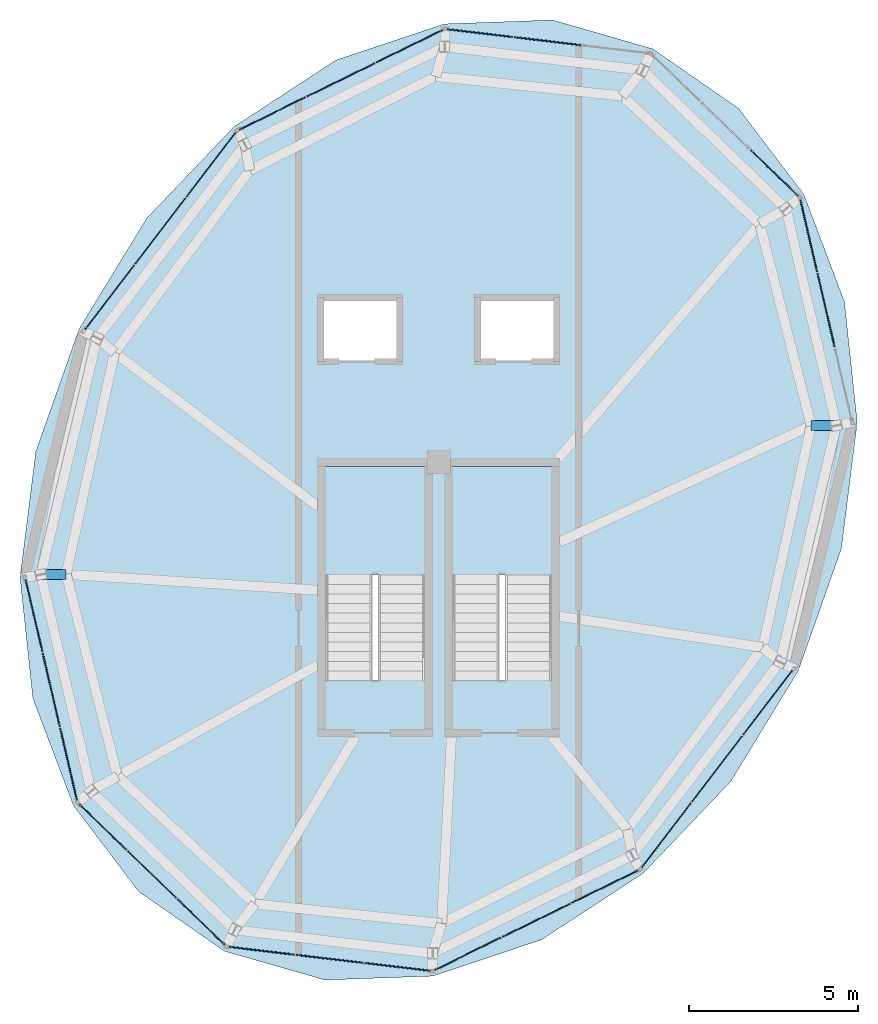
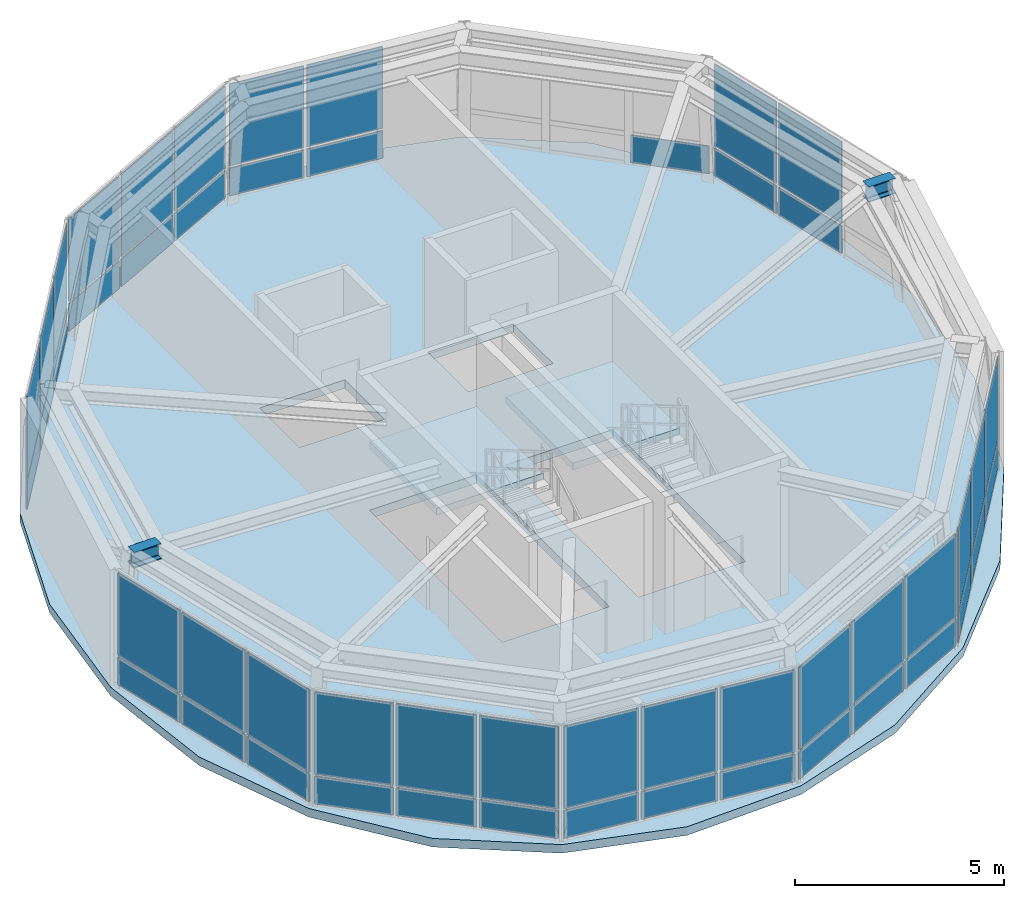
# One storey, part 7 of 9: 51 plates, 3 slabs, 2 beams, 12 elements without a shape of their own.
"""IFC4 building model written with IfcOpenShell, lengths in metres."""

from ifc_helpers import new_model, si_unit, direction, frame, origin, origin_2d, place, context, subcontext, project, spatial, polyline, rectangle, i_section, outline, extrude, material, layer, layer_set, material_profile, profile_set, type_object, element, aggregate, save


model = new_model("IFC4")

# Units and contexts
model_context = context("Model", 3, precision=1e-05, world=origin(), true_north=direction((0.0, 1.0)))
body_context = subcontext(model_context, "Body", "Model", "MODEL_VIEW")
ifc_project = project(units=[si_unit("LENGTHUNIT", "METRE"), si_unit("AREAUNIT", "SQUARE_METRE"), si_unit("VOLUMEUNIT", "CUBIC_METRE"), si_unit("PLANEANGLEUNIT", "RADIAN"), si_unit("MASSUNIT", "GRAM", prefix="KILO"), si_unit("THERMODYNAMICTEMPERATUREUNIT", "KELVIN"), si_unit("POWERUNIT", "WATT")], contexts=[model_context])

# Site, building, storey
site_placement = place(None, origin())
site = spatial("IfcSite", under=ifc_project, at=site_placement, CompositionType="ELEMENT")
building_placement = place(site_placement, origin())
building = spatial("IfcBuilding", under=site, at=building_placement, Name="Ocrelia Relay Tower", CompositionType="ELEMENT")
storey_placement = place(building_placement, frame((0.0, 0.0, 296.0)))
storey = spatial("IfcBuildingStorey", under=building, at=storey_placement, Name="L74", CompositionType="ELEMENT", Elevation=296.0)

# Beams
ifc_material_1 = material(Name="Steel S355", Category="steel")
ifc_material_profile = material_profile(ifc_material_1, i_section(OverallWidth=0.300048828125, OverallDepth=0.449951171875, WebThickness=0.013916015625, FlangeThickness=0.02587890625, FilletRadius=0.027099609375, at=origin_2d()), Name="HEB 450")
ifc_profile_set = profile_set([ifc_material_profile], Name="Steel S355")
beam_type = type_object("IfcBeamType", Name="BM-HEB450", PredefinedType="BEAM", material=ifc_profile_set)
for number, where, z_axis, x_axis, name in (
    (1, (22.214111328125, 23.7919921875, 3.52490234375), (0.999984578339, 0.00555365496, 0.0), (-0.00555365496, 0.999984578339, 0.0), "L74 Crown Step Radial Beam ST05"),
    (2, (45.785888671875, 28.2080078125, 3.52490234375), (-0.999984578339, -0.00555365496, 0.0), (0.00555365496, -0.999984578339, 0.0), "L74 Crown Step Radial Beam ST11"),
):
    element("IfcBeam", number, at=place(storey_placement, frame(where, z_axis=z_axis, x_axis=x_axis)), inside=storey, type_object=beam_type, Name=name, PredefinedType="BEAM", context=body_context, shape_type="SweptSolid", body=[
        extrude(i_section(OverallWidth=0.300048828125, OverallDepth=0.449951171875, WebThickness=0.013916015625, FlangeThickness=0.02587890625, FilletRadius=0.027099609375, at=origin_2d()), origin(), (0.0, 0.0, 1.0), 0.747314453125),
    ])

# Curtain wall, plates
ifc_material_2 = material(Name="Aluminium and solar-control low-E glass", Category="aluminium")
ifc_layer_1 = layer(ifc_material_2, 0.179931640625, Name="Aluminium and solar-control low-E glass")
ifc_layer_set_1 = layer_set([ifc_layer_1], Name="Aluminium and solar-control low-E glass")
curtain_wall_type = type_object("IfcCurtainWallType", Name="CW-SYS-CROWN-PT", PredefinedType="NOTDEFINED", material=ifc_layer_set_1)
curtain_wall_1_placement = place(storey_placement, origin())
curtain_wall_1 = element("IfcCurtainWall", 3, at=curtain_wall_1_placement, inside=storey, type_object=curtain_wall_type, Name="L74 Faceted Glass-Point Crown Curtain Wall 01", PredefinedType="NOTDEFINED")
ifc_material_3 = material(Name="Clear double-glazed low-E glass", Category="glass")
ifc_layer_2 = layer(ifc_material_3, 0.031982421875, Name="Clear double-glazed low-E glass")
ifc_layer_set_2 = layer_set([ifc_layer_2], Name="Clear double-glazed low-E glass")
plate_type = type_object("IfcPlateType", Name="CW-SYS-CROWN-PT-PNL", PredefinedType="CURTAIN_PANEL", material=ifc_layer_set_2)
plate_1_placement = place(storey_placement, frame((37.23193359375, 39.5966796875, 0.06494140625), z_axis=(0.0, 0.0, 1.0), x_axis=(-0.993010082273, 0.118029557759, 0.0)))
plate_1 = element("IfcPlate", 4, at=plate_1_placement, type_object=plate_type, Name="CW-CR panel 2.1", PredefinedType="CURTAIN_PANEL", context=body_context, shape_type="SweptSolid", body=[
    extrude(rectangle(XDim=1.973876953125, YDim=0.031982421875, at=origin_2d()), origin(), (0.0, 0.0, 1.0), 0.802490234375),
])
plate_2_placement = place(storey_placement, frame((37.23193359375, 39.5966796875, 0.932373046875), z_axis=(0.0, 0.0, 1.0), x_axis=(-0.993010082273, 0.118029557759, 0.0)))
plate_2 = element("IfcPlate", 5, at=plate_2_placement, type_object=plate_type, Name="CW-CR panel 2.2", PredefinedType="CURTAIN_PANEL", context=body_context, shape_type="SweptSolid", body=[
    extrude(rectangle(XDim=1.973876953125, YDim=0.031982421875, at=origin_2d()), origin(), (0.0, 0.0, 1.0), 2.392578125),
])
plate_3_placement = place(storey_placement, frame((35.216064453125, 39.836181640625, 0.06494140625), z_axis=(0.0, 0.0, 1.0), x_axis=(-0.993010082273, 0.118029557759, 0.0)))
plate_3 = element("IfcPlate", 6, at=plate_3_placement, type_object=plate_type, Name="CW-CR panel 3.1", PredefinedType="CURTAIN_PANEL", context=body_context, shape_type="SweptSolid", body=[
    extrude(rectangle(XDim=1.9365234375, YDim=0.031982421875, at=origin_2d()), origin(), (0.0, 0.0, 1.0), 0.802490234375),
])
plate_4_placement = place(storey_placement, frame((35.216064453125, 39.836181640625, 0.932373046875), z_axis=(0.0, 0.0, 1.0), x_axis=(-0.993010082273, 0.118029557759, 0.0)))
plate_4 = element("IfcPlate", 7, at=plate_4_placement, type_object=plate_type, Name="CW-CR panel 3.2", PredefinedType="CURTAIN_PANEL", context=body_context, shape_type="SweptSolid", body=[
    extrude(rectangle(XDim=1.9365234375, YDim=0.031982421875, at=origin_2d()), origin(), (0.0, 0.0, 1.0), 2.392578125),
])
aggregate(curtain_wall_1, [plate_1, plate_2, plate_3, plate_4])

curtain_wall_2_placement = place(storey_placement, origin())
curtain_wall_2 = element("IfcCurtainWall", 8, at=curtain_wall_2_placement, inside=storey, type_object=curtain_wall_type, Name="L74 Faceted Glass-Point Crown Curtain Wall 02", PredefinedType="NOTDEFINED")
plate_5_placement = place(storey_placement, frame((33.137939453125, 39.44873046875, 0.06494140625), z_axis=(0.0, 0.0, 1.0), x_axis=(-0.897968903602, -0.440058914423, 0.0)))
plate_5 = element("IfcPlate", 9, at=plate_5_placement, type_object=plate_type, Name="CW-CR panel 1.1", PredefinedType="CURTAIN_PANEL", context=body_context, shape_type="SweptSolid", body=[
    extrude(rectangle(XDim=2.171142578125, YDim=0.031982421875, at=origin_2d()), origin(), (0.0, 0.0, 1.0), 0.802490234375),
])
plate_6_placement = place(storey_placement, frame((33.137939453125, 39.44873046875, 0.932373046875), z_axis=(0.0, 0.0, 1.0), x_axis=(-0.897968903602, -0.440058914423, 0.0)))
plate_6 = element("IfcPlate", 10, at=plate_6_placement, type_object=plate_type, Name="CW-CR panel 1.2", PredefinedType="CURTAIN_PANEL", context=body_context, shape_type="SweptSolid", body=[
    extrude(rectangle(XDim=2.171142578125, YDim=0.031982421875, at=origin_2d()), origin(), (0.0, 0.0, 1.0), 2.392578125),
])
plate_7_placement = place(storey_placement, frame((31.10400390625, 38.451904296875, 0.06494140625), z_axis=(0.0, 0.0, 1.0), x_axis=(-0.897968903602, -0.440058914423, 0.0)))
plate_7 = element("IfcPlate", 11, at=plate_7_placement, type_object=plate_type, Name="CW-CR panel 2.1", PredefinedType="CURTAIN_PANEL", context=body_context, shape_type="SweptSolid", body=[
    extrude(rectangle(XDim=2.208740234375, YDim=0.031982421875, at=origin_2d()), origin(), (0.0, 0.0, 1.0), 0.802490234375),
])
plate_8_placement = place(storey_placement, frame((31.10400390625, 38.451904296875, 0.932373046875), z_axis=(0.0, 0.0, 1.0), x_axis=(-0.897968903602, -0.440058914423, 0.0)))
plate_8 = element("IfcPlate", 12, at=plate_8_placement, type_object=plate_type, Name="CW-CR panel 2.2", PredefinedType="CURTAIN_PANEL", context=body_context, shape_type="SweptSolid", body=[
    extrude(rectangle(XDim=2.208740234375, YDim=0.031982421875, at=origin_2d()), origin(), (0.0, 0.0, 1.0), 2.392578125),
])
plate_9_placement = place(storey_placement, frame((29.070068359375, 37.455322265625, 0.06494140625), z_axis=(0.0, 0.0, 1.0), x_axis=(-0.897968903602, -0.440058914423, 0.0)))
plate_9 = element("IfcPlate", 13, at=plate_9_placement, type_object=plate_type, Name="CW-CR panel 3.1", PredefinedType="CURTAIN_PANEL", context=body_context, shape_type="SweptSolid", body=[
    extrude(rectangle(XDim=2.171142578125, YDim=0.031982421875, at=origin_2d()), origin(), (0.0, 0.0, 1.0), 0.802490234375),
])
plate_10_placement = place(storey_placement, frame((29.070068359375, 37.455322265625, 0.932373046875), z_axis=(0.0, 0.0, 1.0), x_axis=(-0.897968903602, -0.440058914423, 0.0)))
plate_10 = element("IfcPlate", 14, at=plate_10_placement, type_object=plate_type, Name="CW-CR panel 3.2", PredefinedType="CURTAIN_PANEL", context=body_context, shape_type="SweptSolid", body=[
    extrude(rectangle(XDim=2.171142578125, YDim=0.031982421875, at=origin_2d()), origin(), (0.0, 0.0, 1.0), 2.392578125),
])
aggregate(curtain_wall_2, [plate_5, plate_6, plate_7, plate_8, plate_9, plate_10])

curtain_wall_3_placement = place(storey_placement, origin())
curtain_wall_3 = element("IfcCurtainWall", 15, at=curtain_wall_3_placement, inside=storey, type_object=curtain_wall_type, Name="L74 Faceted Glass-Point Crown Curtain Wall 03", PredefinedType="NOTDEFINED")
plate_11_placement = place(storey_placement, frame((27.258056640625, 35.9384765625, 0.06494140625), z_axis=(0.0, 0.0, 1.0), x_axis=(-0.607777650658, -0.7941072518, 0.0)))
plate_11 = element("IfcPlate", 16, at=plate_11_placement, type_object=plate_type, Name="CW-CR panel 1.1", PredefinedType="CURTAIN_PANEL", context=body_context, shape_type="SweptSolid", body=[
    extrude(rectangle(XDim=2.384033203125, YDim=0.031982421875, at=origin_2d()), origin(), (0.0, 0.0, 1.0), 0.802490234375),
])
plate_12_placement = place(storey_placement, frame((27.258056640625, 35.9384765625, 0.932373046875), z_axis=(0.0, 0.0, 1.0), x_axis=(-0.607777650658, -0.7941072518, 0.0)))
plate_12 = element("IfcPlate", 17, at=plate_12_placement, type_object=plate_type, Name="CW-CR panel 1.2", PredefinedType="CURTAIN_PANEL", context=body_context, shape_type="SweptSolid", body=[
    extrude(rectangle(XDim=2.384033203125, YDim=0.031982421875, at=origin_2d()), origin(), (0.0, 0.0, 1.0), 2.392578125),
])
plate_13_placement = place(storey_placement, frame((25.751953125, 33.970703125, 0.06494140625), z_axis=(0.0, 0.0, 1.0), x_axis=(-0.607777650658, -0.7941072518, 0.0)))
plate_13 = element("IfcPlate", 18, at=plate_13_placement, type_object=plate_type, Name="CW-CR panel 2.1", PredefinedType="CURTAIN_PANEL", context=body_context, shape_type="SweptSolid", body=[
    extrude(rectangle(XDim=2.42138671875, YDim=0.031982421875, at=origin_2d()), origin(), (0.0, 0.0, 1.0), 0.802490234375),
])
plate_14_placement = place(storey_placement, frame((25.751953125, 33.970703125, 0.932373046875), z_axis=(0.0, 0.0, 1.0), x_axis=(-0.607777650658, -0.7941072518, 0.0)))
plate_14 = element("IfcPlate", 19, at=plate_14_placement, type_object=plate_type, Name="CW-CR panel 2.2", PredefinedType="CURTAIN_PANEL", context=body_context, shape_type="SweptSolid", body=[
    extrude(rectangle(XDim=2.42138671875, YDim=0.031982421875, at=origin_2d()), origin(), (0.0, 0.0, 1.0), 2.392578125),
])
plate_15_placement = place(storey_placement, frame((24.24609375, 32.003173828125, 0.06494140625), z_axis=(0.0, 0.0, 1.0), x_axis=(-0.607777650658, -0.7941072518, 0.0)))
plate_15 = element("IfcPlate", 20, at=plate_15_placement, type_object=plate_type, Name="CW-CR panel 3.1", PredefinedType="CURTAIN_PANEL", context=body_context, shape_type="SweptSolid", body=[
    extrude(rectangle(XDim=2.384033203125, YDim=0.031982421875, at=origin_2d()), origin(), (0.0, 0.0, 1.0), 0.802490234375),
])
plate_16_placement = place(storey_placement, frame((24.24609375, 32.003173828125, 0.932373046875), z_axis=(0.0, 0.0, 1.0), x_axis=(-0.607777650658, -0.7941072518, 0.0)))
plate_16 = element("IfcPlate", 21, at=plate_16_placement, type_object=plate_type, Name="CW-CR panel 3.2", PredefinedType="CURTAIN_PANEL", context=body_context, shape_type="SweptSolid", body=[
    extrude(rectangle(XDim=2.384033203125, YDim=0.031982421875, at=origin_2d()), origin(), (0.0, 0.0, 1.0), 2.392578125),
])
aggregate(curtain_wall_3, [plate_11, plate_12, plate_13, plate_14, plate_15, plate_16])

curtain_wall_4_placement = place(storey_placement, origin())
curtain_wall_4 = element("IfcCurtainWall", 22, at=curtain_wall_4_placement, inside=storey, type_object=curtain_wall_type, Name="L74 Faceted Glass-Point Crown Curtain Wall 05", PredefinedType="NOTDEFINED")
plate_17_placement = place(storey_placement, frame((22.007080078125, 22.580322265625, 0.06494140625), z_axis=(0.0, 0.0, 1.0), x_axis=(0.226532816409, -0.974003533407, 0.0)))
plate_17 = element("IfcPlate", 23, at=plate_17_placement, type_object=plate_type, Name="CW-CR panel 1.1", PredefinedType="CURTAIN_PANEL", context=body_context, shape_type="SweptSolid", body=[
    extrude(rectangle(XDim=2.171142578125, YDim=0.031982421875, at=origin_2d()), origin(), (0.0, 0.0, 1.0), 0.802490234375),
])
plate_18_placement = place(storey_placement, frame((22.007080078125, 22.580322265625, 0.932373046875), z_axis=(0.0, 0.0, 1.0), x_axis=(0.226532816409, -0.974003533407, 0.0)))
plate_18 = element("IfcPlate", 24, at=plate_18_placement, type_object=plate_type, Name="CW-CR panel 1.2", PredefinedType="CURTAIN_PANEL", context=body_context, shape_type="SweptSolid", body=[
    extrude(rectangle(XDim=2.171142578125, YDim=0.031982421875, at=origin_2d()), origin(), (0.0, 0.0, 1.0), 2.392578125),
])
plate_19_placement = place(storey_placement, frame((22.52001953125, 20.374267578125, 0.06494140625), z_axis=(0.0, 0.0, 1.0), x_axis=(0.226532816409, -0.974003533407, 0.0)))
plate_19 = element("IfcPlate", 25, at=plate_19_placement, type_object=plate_type, Name="CW-CR panel 2.1", PredefinedType="CURTAIN_PANEL", context=body_context, shape_type="SweptSolid", body=[
    extrude(rectangle(XDim=2.208740234375, YDim=0.031982421875, at=origin_2d()), origin(), (0.0, 0.0, 1.0), 0.802490234375),
])
plate_20_placement = place(storey_placement, frame((22.52001953125, 20.374267578125, 0.932373046875), z_axis=(0.0, 0.0, 1.0), x_axis=(0.226532816409, -0.974003533407, 0.0)))
plate_20 = element("IfcPlate", 26, at=plate_20_placement, type_object=plate_type, Name="CW-CR panel 2.2", PredefinedType="CURTAIN_PANEL", context=body_context, shape_type="SweptSolid", body=[
    extrude(rectangle(XDim=2.208740234375, YDim=0.031982421875, at=origin_2d()), origin(), (0.0, 0.0, 1.0), 2.392578125),
])
plate_21_placement = place(storey_placement, frame((23.033203125, 18.168212890625, 0.06494140625), z_axis=(0.0, 0.0, 1.0), x_axis=(0.226532816409, -0.974003533407, 0.0)))
plate_21 = element("IfcPlate", 27, at=plate_21_placement, type_object=plate_type, Name="CW-CR panel 3.1", PredefinedType="CURTAIN_PANEL", context=body_context, shape_type="SweptSolid", body=[
    extrude(rectangle(XDim=2.171142578125, YDim=0.031982421875, at=origin_2d()), origin(), (0.0, 0.0, 1.0), 0.802490234375),
])
plate_22_placement = place(storey_placement, frame((23.033203125, 18.168212890625, 0.932373046875), z_axis=(0.0, 0.0, 1.0), x_axis=(0.226532816409, -0.974003533407, 0.0)))
plate_22 = element("IfcPlate", 28, at=plate_22_placement, type_object=plate_type, Name="CW-CR panel 3.2", PredefinedType="CURTAIN_PANEL", context=body_context, shape_type="SweptSolid", body=[
    extrude(rectangle(XDim=2.171142578125, YDim=0.031982421875, at=origin_2d()), origin(), (0.0, 0.0, 1.0), 2.392578125),
])
aggregate(curtain_wall_4, [plate_17, plate_18, plate_19, plate_20, plate_21, plate_22])

curtain_wall_5_placement = place(storey_placement, origin())
curtain_wall_5 = element("IfcCurtainWall", 29, at=curtain_wall_5_placement, inside=storey, type_object=curtain_wall_type, Name="L74 Faceted Glass-Point Crown Curtain Wall 06", PredefinedType="NOTDEFINED")
plate_23_placement = place(storey_placement, frame((24.046142578125, 16.312744140625, 0.06494140625), z_axis=(0.0, 0.0, 1.0), x_axis=(0.719075086837, -0.694932384833, 0.0)))
plate_23 = element("IfcPlate", 30, at=plate_23_placement, type_object=plate_type, Name="CW-CR panel 1.1", PredefinedType="CURTAIN_PANEL", context=body_context, shape_type="SweptSolid", body=[
    extrude(rectangle(XDim=1.9365234375, YDim=0.031982421875, at=origin_2d()), origin(), (0.0, 0.0, 1.0), 0.802490234375),
])
plate_24_placement = place(storey_placement, frame((24.046142578125, 16.312744140625, 0.932373046875), z_axis=(0.0, 0.0, 1.0), x_axis=(0.719075086837, -0.694932384833, 0.0)))
plate_24 = element("IfcPlate", 31, at=plate_24_placement, type_object=plate_type, Name="CW-CR panel 1.2", PredefinedType="CURTAIN_PANEL", context=body_context, shape_type="SweptSolid", body=[
    extrude(rectangle(XDim=1.9365234375, YDim=0.031982421875, at=origin_2d()), origin(), (0.0, 0.0, 1.0), 2.392578125),
])
plate_25_placement = place(storey_placement, frame((25.506103515625, 14.90185546875, 0.06494140625), z_axis=(0.0, 0.0, 1.0), x_axis=(0.719075086837, -0.694932384833, 0.0)))
plate_25 = element("IfcPlate", 32, at=plate_25_placement, type_object=plate_type, Name="CW-CR panel 2.1", PredefinedType="CURTAIN_PANEL", context=body_context, shape_type="SweptSolid", body=[
    extrude(rectangle(XDim=1.973876953125, YDim=0.031982421875, at=origin_2d()), origin(), (0.0, 0.0, 1.0), 0.802490234375),
])
plate_26_placement = place(storey_placement, frame((25.506103515625, 14.90185546875, 0.932373046875), z_axis=(0.0, 0.0, 1.0), x_axis=(0.719075086837, -0.694932384833, 0.0)))
plate_26 = element("IfcPlate", 33, at=plate_26_placement, type_object=plate_type, Name="CW-CR panel 2.2", PredefinedType="CURTAIN_PANEL", context=body_context, shape_type="SweptSolid", body=[
    extrude(rectangle(XDim=1.973876953125, YDim=0.031982421875, at=origin_2d()), origin(), (0.0, 0.0, 1.0), 2.392578125),
])
plate_27_placement = place(storey_placement, frame((26.966064453125, 13.490966796875, 0.06494140625), z_axis=(0.0, 0.0, 1.0), x_axis=(0.719075086837, -0.694932384833, 0.0)))
plate_27 = element("IfcPlate", 34, at=plate_27_placement, type_object=plate_type, Name="CW-CR panel 3.1", PredefinedType="CURTAIN_PANEL", context=body_context, shape_type="SweptSolid", body=[
    extrude(rectangle(XDim=1.9365234375, YDim=0.031982421875, at=origin_2d()), origin(), (0.0, 0.0, 1.0), 0.802490234375),
])
plate_28_placement = place(storey_placement, frame((26.966064453125, 13.490966796875, 0.932373046875), z_axis=(0.0, 0.0, 1.0), x_axis=(0.719075086837, -0.694932384833, 0.0)))
plate_28 = element("IfcPlate", 35, at=plate_28_placement, type_object=plate_type, Name="CW-CR panel 3.2", PredefinedType="CURTAIN_PANEL", context=body_context, shape_type="SweptSolid", body=[
    extrude(rectangle(XDim=1.9365234375, YDim=0.031982421875, at=origin_2d()), origin(), (0.0, 0.0, 1.0), 2.392578125),
])
aggregate(curtain_wall_5, [plate_23, plate_24, plate_25, plate_26, plate_27, plate_28])

curtain_wall_6_placement = place(storey_placement, origin())
curtain_wall_6 = element("IfcCurtainWall", 36, at=curtain_wall_6_placement, inside=storey, type_object=curtain_wall_type, Name="L74 Faceted Glass-Point Crown Curtain Wall 07", PredefinedType="NOTDEFINED")
plate_29_placement = place(storey_placement, frame((28.751953125, 12.64306640625, 0.06494140625), z_axis=(0.0, 0.0, 1.0), x_axis=(0.993010082273, -0.118029557759, 0.0)))
plate_29 = element("IfcPlate", 37, at=plate_29_placement, type_object=plate_type, Name="CW-CR panel 1.1", PredefinedType="CURTAIN_PANEL", context=body_context, shape_type="SweptSolid", body=[
    extrude(rectangle(XDim=1.9365234375, YDim=0.031982421875, at=origin_2d()), origin(), (0.0, 0.0, 1.0), 0.802490234375),
])
plate_30_placement = place(storey_placement, frame((28.751953125, 12.64306640625, 0.932373046875), z_axis=(0.0, 0.0, 1.0), x_axis=(0.993010082273, -0.118029557759, 0.0)))
plate_30 = element("IfcPlate", 38, at=plate_30_placement, type_object=plate_type, Name="CW-CR panel 1.2", PredefinedType="CURTAIN_PANEL", context=body_context, shape_type="SweptSolid", body=[
    extrude(rectangle(XDim=1.9365234375, YDim=0.031982421875, at=origin_2d()), origin(), (0.0, 0.0, 1.0), 2.392578125),
])
plate_31_placement = place(storey_placement, frame((30.76806640625, 12.4033203125, 0.06494140625), z_axis=(0.0, 0.0, 1.0), x_axis=(0.993010082273, -0.118029557759, 0.0)))
plate_31 = element("IfcPlate", 39, at=plate_31_placement, type_object=plate_type, Name="CW-CR panel 2.1", PredefinedType="CURTAIN_PANEL", context=body_context, shape_type="SweptSolid", body=[
    extrude(rectangle(XDim=1.973876953125, YDim=0.031982421875, at=origin_2d()), origin(), (0.0, 0.0, 1.0), 0.802490234375),
])
plate_32_placement = place(storey_placement, frame((30.76806640625, 12.4033203125, 0.932373046875), z_axis=(0.0, 0.0, 1.0), x_axis=(0.993010082273, -0.118029557759, 0.0)))
plate_32 = element("IfcPlate", 40, at=plate_32_placement, type_object=plate_type, Name="CW-CR panel 2.2", PredefinedType="CURTAIN_PANEL", context=body_context, shape_type="SweptSolid", body=[
    extrude(rectangle(XDim=1.973876953125, YDim=0.031982421875, at=origin_2d()), origin(), (0.0, 0.0, 1.0), 2.392578125),
])
plate_33_placement = place(storey_placement, frame((32.783935546875, 12.163818359375, 0.06494140625), z_axis=(0.0, 0.0, 1.0), x_axis=(0.993010082273, -0.118029557759, 0.0)))
plate_33 = element("IfcPlate", 41, at=plate_33_placement, type_object=plate_type, Name="CW-CR panel 3.1", PredefinedType="CURTAIN_PANEL", context=body_context, shape_type="SweptSolid", body=[
    extrude(rectangle(XDim=1.9365234375, YDim=0.031982421875, at=origin_2d()), origin(), (0.0, 0.0, 1.0), 0.802490234375),
])
plate_34_placement = place(storey_placement, frame((32.783935546875, 12.163818359375, 0.932373046875), z_axis=(0.0, 0.0, 1.0), x_axis=(0.993010082273, -0.118029557759, 0.0)))
plate_34 = element("IfcPlate", 42, at=plate_34_placement, type_object=plate_type, Name="CW-CR panel 3.2", PredefinedType="CURTAIN_PANEL", context=body_context, shape_type="SweptSolid", body=[
    extrude(rectangle(XDim=1.9365234375, YDim=0.031982421875, at=origin_2d()), origin(), (0.0, 0.0, 1.0), 2.392578125),
])
aggregate(curtain_wall_6, [plate_29, plate_30, plate_31, plate_32, plate_33, plate_34])

curtain_wall_7_placement = place(storey_placement, origin())
curtain_wall_7 = element("IfcCurtainWall", 43, at=curtain_wall_7_placement, inside=storey, type_object=curtain_wall_type, Name="L74 Faceted Glass-Point Crown Curtain Wall 08", PredefinedType="NOTDEFINED")
plate_35_placement = place(storey_placement, frame((34.862060546875, 12.55126953125, 0.06494140625), z_axis=(0.0, 0.0, 1.0), x_axis=(0.897968903602, 0.440058914423, 0.0)))
plate_35 = element("IfcPlate", 44, at=plate_35_placement, type_object=plate_type, Name="CW-CR panel 1.1", PredefinedType="CURTAIN_PANEL", context=body_context, shape_type="SweptSolid", body=[
    extrude(rectangle(XDim=2.171142578125, YDim=0.031982421875, at=origin_2d()), origin(), (0.0, 0.0, 1.0), 0.802490234375),
])
plate_36_placement = place(storey_placement, frame((34.862060546875, 12.55126953125, 0.932373046875), z_axis=(0.0, 0.0, 1.0), x_axis=(0.897968903602, 0.440058914423, 0.0)))
plate_36 = element("IfcPlate", 45, at=plate_36_placement, type_object=plate_type, Name="CW-CR panel 1.2", PredefinedType="CURTAIN_PANEL", context=body_context, shape_type="SweptSolid", body=[
    extrude(rectangle(XDim=2.171142578125, YDim=0.031982421875, at=origin_2d()), origin(), (0.0, 0.0, 1.0), 2.392578125),
])
plate_37_placement = place(storey_placement, frame((36.89599609375, 13.548095703125, 0.06494140625), z_axis=(0.0, 0.0, 1.0), x_axis=(0.897968903602, 0.440058914423, 0.0)))
plate_37 = element("IfcPlate", 46, at=plate_37_placement, type_object=plate_type, Name="CW-CR panel 2.1", PredefinedType="CURTAIN_PANEL", context=body_context, shape_type="SweptSolid", body=[
    extrude(rectangle(XDim=2.208740234375, YDim=0.031982421875, at=origin_2d()), origin(), (0.0, 0.0, 1.0), 0.802490234375),
])
plate_38_placement = place(storey_placement, frame((36.89599609375, 13.548095703125, 0.932373046875), z_axis=(0.0, 0.0, 1.0), x_axis=(0.897968903602, 0.440058914423, 0.0)))
plate_38 = element("IfcPlate", 47, at=plate_38_placement, type_object=plate_type, Name="CW-CR panel 2.2", PredefinedType="CURTAIN_PANEL", context=body_context, shape_type="SweptSolid", body=[
    extrude(rectangle(XDim=2.208740234375, YDim=0.031982421875, at=origin_2d()), origin(), (0.0, 0.0, 1.0), 2.392578125),
])
plate_39_placement = place(storey_placement, frame((38.929931640625, 14.544677734375, 0.06494140625), z_axis=(0.0, 0.0, 1.0), x_axis=(0.897968903602, 0.440058914423, 0.0)))
plate_39 = element("IfcPlate", 48, at=plate_39_placement, type_object=plate_type, Name="CW-CR panel 3.1", PredefinedType="CURTAIN_PANEL", context=body_context, shape_type="SweptSolid", body=[
    extrude(rectangle(XDim=2.171142578125, YDim=0.031982421875, at=origin_2d()), origin(), (0.0, 0.0, 1.0), 0.802490234375),
])
plate_40_placement = place(storey_placement, frame((38.929931640625, 14.544677734375, 0.932373046875), z_axis=(0.0, 0.0, 1.0), x_axis=(0.897968903602, 0.440058914423, 0.0)))
plate_40 = element("IfcPlate", 49, at=plate_40_placement, type_object=plate_type, Name="CW-CR panel 3.2", PredefinedType="CURTAIN_PANEL", context=body_context, shape_type="SweptSolid", body=[
    extrude(rectangle(XDim=2.171142578125, YDim=0.031982421875, at=origin_2d()), origin(), (0.0, 0.0, 1.0), 2.392578125),
])
aggregate(curtain_wall_7, [plate_35, plate_36, plate_37, plate_38, plate_39, plate_40])

curtain_wall_8_placement = place(storey_placement, origin())
curtain_wall_8 = element("IfcCurtainWall", 50, at=curtain_wall_8_placement, inside=storey, type_object=curtain_wall_type, Name="L74 Faceted Glass-Point Crown Curtain Wall 09", PredefinedType="NOTDEFINED")
plate_41_placement = place(storey_placement, frame((40.741943359375, 16.0615234375, 0.06494140625), z_axis=(0.0, 0.0, 1.0), x_axis=(0.607777650658, 0.7941072518, 0.0)))
plate_41 = element("IfcPlate", 51, at=plate_41_placement, type_object=plate_type, Name="CW-CR panel 1.1", PredefinedType="CURTAIN_PANEL", context=body_context, shape_type="SweptSolid", body=[
    extrude(rectangle(XDim=2.384033203125, YDim=0.031982421875, at=origin_2d()), origin(), (0.0, 0.0, 1.0), 0.802490234375),
])
plate_42_placement = place(storey_placement, frame((40.741943359375, 16.0615234375, 0.932373046875), z_axis=(0.0, 0.0, 1.0), x_axis=(0.607777650658, 0.7941072518, 0.0)))
plate_42 = element("IfcPlate", 52, at=plate_42_placement, type_object=plate_type, Name="CW-CR panel 1.2", PredefinedType="CURTAIN_PANEL", context=body_context, shape_type="SweptSolid", body=[
    extrude(rectangle(XDim=2.384033203125, YDim=0.031982421875, at=origin_2d()), origin(), (0.0, 0.0, 1.0), 2.392578125),
])
plate_43_placement = place(storey_placement, frame((42.248046875, 18.029296875, 0.06494140625), z_axis=(0.0, 0.0, 1.0), x_axis=(0.607777650658, 0.7941072518, 0.0)))
plate_43 = element("IfcPlate", 53, at=plate_43_placement, type_object=plate_type, Name="CW-CR panel 2.1", PredefinedType="CURTAIN_PANEL", context=body_context, shape_type="SweptSolid", body=[
    extrude(rectangle(XDim=2.42138671875, YDim=0.031982421875, at=origin_2d()), origin(), (0.0, 0.0, 1.0), 0.802490234375),
])
plate_44_placement = place(storey_placement, frame((42.248046875, 18.029296875, 0.932373046875), z_axis=(0.0, 0.0, 1.0), x_axis=(0.607777650658, 0.7941072518, 0.0)))
plate_44 = element("IfcPlate", 54, at=plate_44_placement, type_object=plate_type, Name="CW-CR panel 2.2", PredefinedType="CURTAIN_PANEL", context=body_context, shape_type="SweptSolid", body=[
    extrude(rectangle(XDim=2.42138671875, YDim=0.031982421875, at=origin_2d()), origin(), (0.0, 0.0, 1.0), 2.392578125),
])
plate_45_placement = place(storey_placement, frame((43.75390625, 19.996826171875, 0.06494140625), z_axis=(0.0, 0.0, 1.0), x_axis=(0.607777650658, 0.7941072518, 0.0)))
plate_45 = element("IfcPlate", 55, at=plate_45_placement, type_object=plate_type, Name="CW-CR panel 3.1", PredefinedType="CURTAIN_PANEL", context=body_context, shape_type="SweptSolid", body=[
    extrude(rectangle(XDim=2.384033203125, YDim=0.031982421875, at=origin_2d()), origin(), (0.0, 0.0, 1.0), 0.802490234375),
])
plate_46_placement = place(storey_placement, frame((43.75390625, 19.996826171875, 0.932373046875), z_axis=(0.0, 0.0, 1.0), x_axis=(0.607777650658, 0.7941072518, 0.0)))
plate_46 = element("IfcPlate", 56, at=plate_46_placement, type_object=plate_type, Name="CW-CR panel 3.2", PredefinedType="CURTAIN_PANEL", context=body_context, shape_type="SweptSolid", body=[
    extrude(rectangle(XDim=2.384033203125, YDim=0.031982421875, at=origin_2d()), origin(), (0.0, 0.0, 1.0), 2.392578125),
])
aggregate(curtain_wall_8, [plate_41, plate_42, plate_43, plate_44, plate_45, plate_46])

curtain_wall_9_placement = place(storey_placement, origin())
curtain_wall_9 = element("IfcCurtainWall", 57, at=curtain_wall_9_placement, inside=storey, type_object=curtain_wall_type, Name="L74 Faceted Glass-Point Crown Curtain Wall 11", PredefinedType="NOTDEFINED")
plate_47_placement = place(storey_placement, frame((45.47998046875, 31.625732421875, 0.06494140625), z_axis=(0.0, 0.0, 1.0), x_axis=(-0.226532816409, 0.974003533407, 0.0)))
plate_47 = element("IfcPlate", 58, at=plate_47_placement, type_object=plate_type, Name="CW-CR panel 2.1", PredefinedType="CURTAIN_PANEL", context=body_context, shape_type="SweptSolid", body=[
    extrude(rectangle(XDim=2.208740234375, YDim=0.031982421875, at=origin_2d()), origin(), (0.0, 0.0, 1.0), 0.802490234375),
])
plate_48_placement = place(storey_placement, frame((45.47998046875, 31.625732421875, 0.932373046875), z_axis=(0.0, 0.0, 1.0), x_axis=(-0.226532816409, 0.974003533407, 0.0)))
plate_48 = element("IfcPlate", 59, at=plate_48_placement, type_object=plate_type, Name="CW-CR panel 2.2", PredefinedType="CURTAIN_PANEL", context=body_context, shape_type="SweptSolid", body=[
    extrude(rectangle(XDim=2.208740234375, YDim=0.031982421875, at=origin_2d()), origin(), (0.0, 0.0, 1.0), 2.392578125),
])
plate_49_placement = place(storey_placement, frame((44.966796875, 33.831787109375, 0.06494140625), z_axis=(0.0, 0.0, 1.0), x_axis=(-0.226532816409, 0.974003533407, 0.0)))
plate_49 = element("IfcPlate", 60, at=plate_49_placement, type_object=plate_type, Name="CW-CR panel 3.1", PredefinedType="CURTAIN_PANEL", context=body_context, shape_type="SweptSolid", body=[
    extrude(rectangle(XDim=2.171142578125, YDim=0.031982421875, at=origin_2d()), origin(), (0.0, 0.0, 1.0), 0.802490234375),
])
plate_50_placement = place(storey_placement, frame((44.966796875, 33.831787109375, 0.932373046875), z_axis=(0.0, 0.0, 1.0), x_axis=(-0.226532816409, 0.974003533407, 0.0)))
plate_50 = element("IfcPlate", 61, at=plate_50_placement, type_object=plate_type, Name="CW-CR panel 3.2", PredefinedType="CURTAIN_PANEL", context=body_context, shape_type="SweptSolid", body=[
    extrude(rectangle(XDim=2.171142578125, YDim=0.031982421875, at=origin_2d()), origin(), (0.0, 0.0, 1.0), 2.392578125),
])
aggregate(curtain_wall_9, [plate_47, plate_48, plate_49, plate_50])

# Curtain wall, plate
curtain_wall_10_placement = place(storey_placement, origin())
curtain_wall_10 = element("IfcCurtainWall", 62, at=curtain_wall_10_placement, inside=storey, type_object=curtain_wall_type, Name="L74 Faceted Glass-Point Crown Curtain Wall 12", PredefinedType="NOTDEFINED")
plate_51_placement = place(storey_placement, frame((43.953857421875, 35.687255859375, 0.06494140625), z_axis=(0.0, 0.0, 1.0), x_axis=(-0.719075086837, 0.694932384833, 0.0)))
plate_51 = element("IfcPlate", 63, at=plate_51_placement, type_object=plate_type, Name="CW-CR panel 1.1", PredefinedType="CURTAIN_PANEL", context=body_context, shape_type="SweptSolid", body=[
    extrude(rectangle(XDim=1.9365234375, YDim=0.031982421875, at=origin_2d()), origin(), (0.0, 0.0, 1.0), 0.802490234375),
])
aggregate(curtain_wall_10, [plate_51])

# Slab
ifc_material_4 = material(Name="Concrete C50/60", Category="concrete")
ifc_layer_3 = layer(ifc_material_4, 0.25, Name="Concrete C50/60")
ifc_layer_set_3 = layer_set([ifc_layer_3], Name="Concrete C50/60")
slab_type_1 = type_object("IfcSlabType", Name="SL-FLR-250", PredefinedType="FLOOR", material=ifc_layer_set_3)
slab_1_placement = place(storey_placement, frame((0.0, 0.0, -0.25)))
element("IfcSlab", 64, at=slab_1_placement, inside=storey, type_object=slab_type_1, Name="L74 Elliptical Tower Floor Slab", PredefinedType="FLOOR", context=body_context, shape_type="SweptSolid", body=[
    extrude(outline(polyline([(40.34814453125, 39.369384765625), (37.373046875, 40.223876953125), (34.168212890625, 40.10888671875), (30.95166015625, 39.032470703125), (27.94287109375, 37.068115234375), (25.346923828125, 34.34912109375), (23.340576171875, 31.061279296875), (22.060791015625, 27.4287109375), (21.594482421875, 23.698486328125), (21.973876953125, 20.12548828125), (23.172607421875, 16.952392578125), (25.109130859375, 14.396240234375), (27.65185546875, 12.630615234375), (30.626953125, 11.776123046875), (33.831787109375, 11.89111328125), (37.04833984375, 12.967529296875), (40.05712890625, 14.931884765625), (42.653076171875, 17.65087890625), (44.659423828125, 20.938720703125), (45.939208984375, 24.5712890625), (46.405517578125, 28.301513671875), (46.026123046875, 31.87451171875), (44.827392578125, 35.047607421875), (42.890869140625, 37.603759765625), (40.34814453125, 39.369384765625)]), holes=[polyline([(33.60009765625, 20.64990234375), (33.60009765625, 27.0), (30.639892578125, 27.0), (30.639892578125, 20.64990234375), (33.60009765625, 20.64990234375)]), polyline([(37.360107421875, 20.64990234375), (37.360107421875, 27.0), (34.39990234375, 27.0), (34.39990234375, 20.64990234375), (37.360107421875, 20.64990234375)]), polyline([(30.5, 30.10009765625), (32.85009765625, 30.10009765625), (32.85009765625, 32.0), (30.5, 32.0), (30.5, 30.10009765625)]), polyline([(35.14990234375, 30.10009765625), (37.5, 30.10009765625), (37.5, 32.0), (35.14990234375, 32.0), (35.14990234375, 30.10009765625)])]), origin(), (0.0, 0.0, 1.0), 0.25),
])

# Stair, slab
stair_type = type_object("IfcStairType", Name="ST-DL-1400-R167", PredefinedType="HALF_TURN_STAIR", material=ifc_material_4)
stair_1_placement = place(storey_placement, origin())
stair_1 = element("IfcStair", 65, at=stair_1_placement, inside=storey, type_object=stair_type, Name="L74 Crown North-West Stair ST4", PredefinedType="HALF_TURN_STAIR")
ifc_layer_4 = layer(ifc_material_4, 0.199951171875, Name="Concrete C50/60")
ifc_layer_set_4 = layer_set([ifc_layer_4], Name="Concrete C50/60")
slab_type_2 = type_object("IfcSlabType", Name="SL-LANDING-200", PredefinedType="LANDING", material=ifc_layer_set_4)
slab_2_placement = place(storey_placement, frame((0.0, 0.0, 1.800048828125)))
slab_2 = element("IfcSlab", 66, at=slab_2_placement, type_object=slab_type_2, Name="ST4 landing 1", PredefinedType="LANDING", context=body_context, shape_type="SweptSolid", body=[
    extrude(outline(polyline([(33.60009765625, 23.784912109375), (33.60009765625, 27.0), (30.639892578125, 27.0), (30.639892578125, 23.784912109375), (33.60009765625, 23.784912109375)])), origin(), (0.0, 0.0, 1.0), 0.199951171875),
])
aggregate(stair_1, [slab_2])

stair_2_placement = place(storey_placement, origin())
stair_2 = element("IfcStair", 67, at=stair_2_placement, inside=storey, type_object=stair_type, Name="L74 Crown North-East Stair ST5", PredefinedType="HALF_TURN_STAIR")
slab_3_placement = place(storey_placement, frame((0.0, 0.0, 1.800048828125)))
slab_3 = element("IfcSlab", 68, at=slab_3_placement, type_object=slab_type_2, Name="ST5 landing 1", PredefinedType="LANDING", context=body_context, shape_type="SweptSolid", body=[
    extrude(outline(polyline([(37.360107421875, 23.784912109375), (37.360107421875, 27.0), (34.39990234375, 27.0), (34.39990234375, 23.784912109375), (37.360107421875, 23.784912109375)])), origin(), (0.0, 0.0, 1.0), 0.199951171875),
])
aggregate(stair_2, [slab_3])

save(model, "model.ifc")
